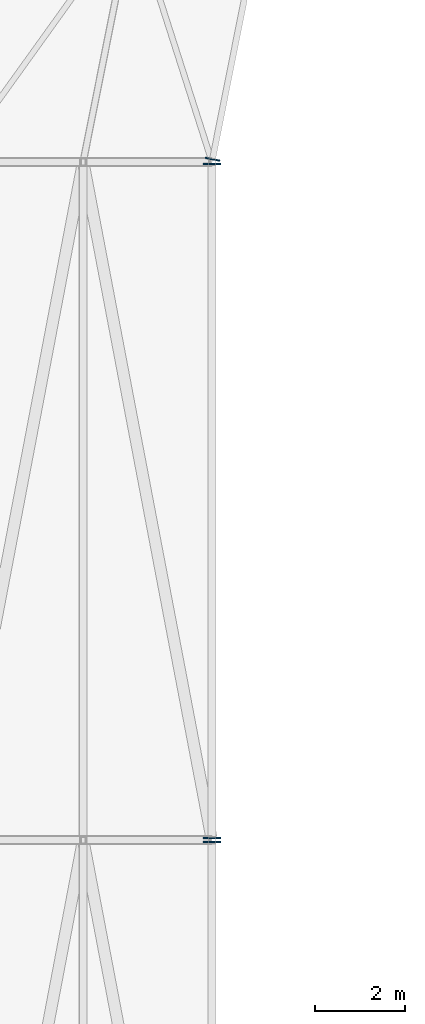
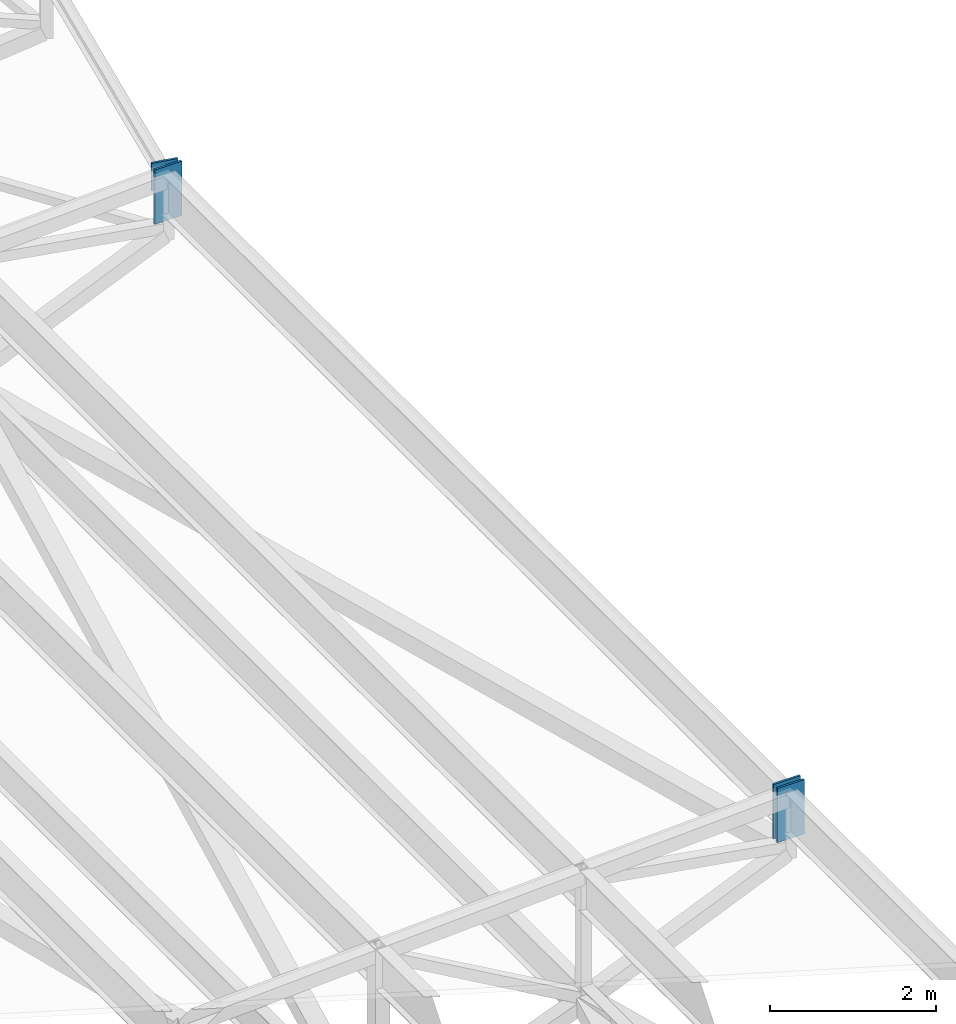
# One storey, part 214 of 278: 4 discrete accessories.
"""IFC4 building model written with IfcOpenShell, lengths in metres."""

from ifc_helpers import new_model, si_unit, direction, frame, origin, origin_2d, place, context, subcontext, project, spatial, rectangle, extrude, material, layer, layer_set, type_object, element, save


model = new_model("IFC4")

# Units and contexts
model_context = context("Model", 3, precision=1e-05, world=origin(), true_north=direction((0.0, 1.0)))
body_context = subcontext(model_context, "Body", "Model", "MODEL_VIEW")
ifc_project = project(units=[si_unit("LENGTHUNIT", "METRE"), si_unit("AREAUNIT", "SQUARE_METRE"), si_unit("VOLUMEUNIT", "CUBIC_METRE"), si_unit("PLANEANGLEUNIT", "RADIAN"), si_unit("MASSUNIT", "GRAM", prefix="KILO")], contexts=[model_context])

# Site, building, storey
site_placement = place(None, origin())
site = spatial("IfcSite", under=ifc_project, at=site_placement, CompositionType="ELEMENT")
building_placement = place(site_placement, origin())
building = spatial("IfcBuilding", under=site, at=building_placement, Name="Ogive Plaza Stadium", CompositionType="ELEMENT")
storey_placement = place(building_placement, frame((0.0, 0.0, 29.0)))
storey = spatial("IfcBuildingStorey", under=building, at=storey_placement, Name="Roof", CompositionType="ELEMENT", Elevation=29.0)

# Discrete accessories
ifc_material = material(Name="Steel ASTM A992 Grade 50", Category="steel")
ifc_layer = layer(ifc_material, 0.030029296875)
ifc_layer_set = layer_set([ifc_layer], Name="Steel ASTM A992 Grade 50")
discrete_accessory_type = type_object("IfcDiscreteAccessoryType", Name="Ring beam end plate 30", PredefinedType="ANCHORPLATE", material=ifc_layer_set)
for number, where, z_axis, x_axis, name in (
    (1, (-45.5, 37.453857421875, 6.7265625), (0.0, 0.0, 1.0), (0.0, 1.0, 0.0), "RING BEAM END PLATE B26 2"),
    (2, (-45.5, 37.546142578125, 6.7265625), (0.0, 0.0, 1.0), (0.0, 1.0, 0.0), "RING BEAM END PLATE B27 1"),
    (3, (-45.5, 52.453857421875, 6.7265625), (0.0, 0.0, 1.0), (0.0, 1.0, 0.0), "RING BEAM END PLATE B27 2"),
):
    element("IfcDiscreteAccessory", number, at=place(storey_placement, frame(where, z_axis=z_axis, x_axis=x_axis)), inside=storey, type_object=discrete_accessory_type, Name=name, PredefinedType="ANCHORPLATE", context=body_context, shape_type="SweptSolid", body=[
        extrude(rectangle(XDim=0.030029296875, YDim=0.3779296875, at=origin_2d()), origin(), (0.0, 0.0, 1.0), 0.798583984375),
    ])
discrete_accessory_placement = place(storey_placement, frame((-45.488037109375, 52.559814453125, 7.1181640625), z_axis=(0.0, 0.0, 1.0), x_axis=(0.195090321862, 0.980785280434, 0.0)))
element("IfcDiscreteAccessory", 4, at=discrete_accessory_placement, inside=storey, type_object=discrete_accessory_type, Name="RING BEAM END PLATE B28 1", PredefinedType="ANCHORPLATE", context=body_context, shape_type="SweptSolid", body=[
    extrude(rectangle(XDim=0.030029296875, YDim=0.33349609375, at=origin_2d()), origin(), (0.0, 0.0, 1.0), 0.40673828125),
])

save(model, "model.ifc")
